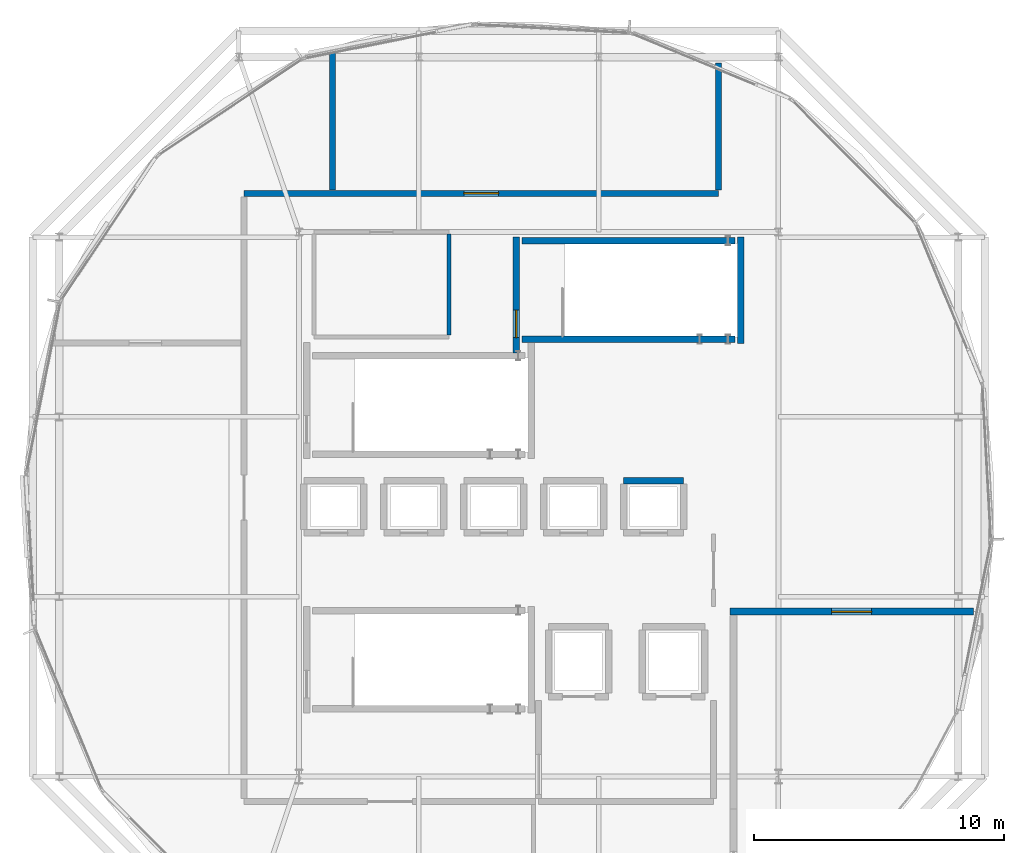
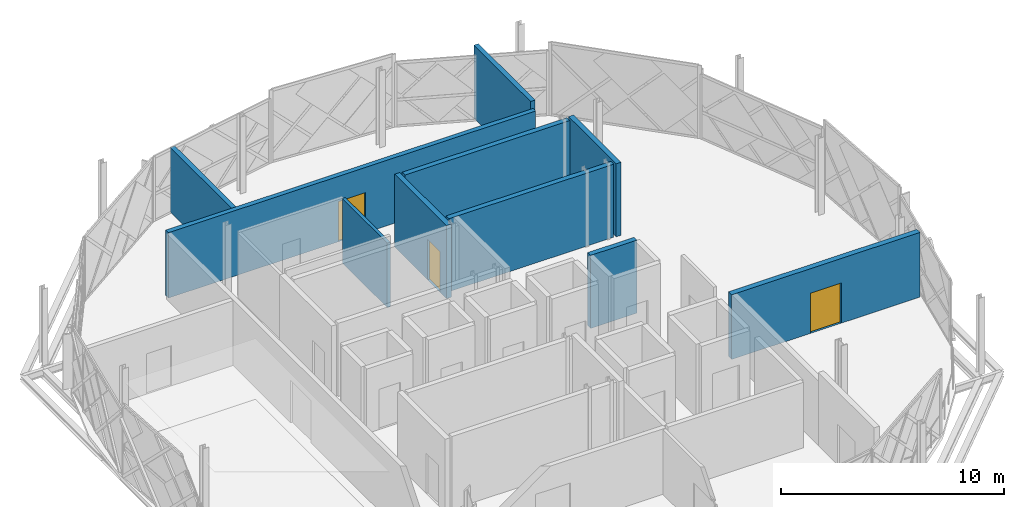
# One storey, part 11 of 15: 10 walls, 3 doors, 3 openings.
"""IFC4 building model written with IfcOpenShell, lengths in metres."""

from ifc_helpers import new_model, si_unit, direction, frame, frame_2d, origin, place, context, subcontext, project, spatial, rectangle, extrude, material, layer, layer_set, type_object, element, fill, save


model = new_model("IFC4")

# Units and contexts
model_context = context("Model", 3, precision=1e-05, world=origin(), true_north=direction((0.0, 1.0)))
body_context = subcontext(model_context, "Body", "Model", "MODEL_VIEW")
ifc_project = project(units=[si_unit("LENGTHUNIT", "METRE"), si_unit("AREAUNIT", "SQUARE_METRE"), si_unit("VOLUMEUNIT", "CUBIC_METRE"), si_unit("PLANEANGLEUNIT", "RADIAN"), si_unit("MASSUNIT", "GRAM", prefix="KILO")], contexts=[model_context])

# Site, building, storey
site_placement = place(None, origin())
site = spatial("IfcSite", under=ifc_project, at=site_placement, CompositionType="ELEMENT")
building_placement = place(site_placement, origin())
building = spatial("IfcBuilding", under=site, at=building_placement, Name="Zevrakil Square Congress Hotel", CompositionType="ELEMENT")
storey_placement = place(building_placement, frame((0.0, 0.0, 41.89990234375)))
storey = spatial("IfcBuildingStorey", under=building, at=storey_placement, Name="L12", CompositionType="ELEMENT", Elevation=41.89990234375)

# Wall, opening, door
ifc_material_1 = material(Name="Concrete C35/45", Category="concrete")
ifc_layer_1 = layer(ifc_material_1, 0.239990234375)
ifc_layer_set_1 = layer_set([ifc_layer_1], Name="Concrete C35/45")
wall_type_1 = type_object("IfcWallType", Name="WAL-COMP-240", PredefinedType="SOLIDWALL", material=ifc_layer_set_1)
wall_1_placement = place(storey_placement, frame((134.60009765625, 40.14990234375, 0.0), z_axis=(0.0, 0.0, 1.0), x_axis=(1.0, 0.0, 0.0)))
wall_1 = element("IfcWall", 1, at=wall_1_placement, inside=storey, type_object=wall_type_1, Name="L12 interior partition PW-L12-1983", PredefinedType="SOLIDWALL", context=body_context, shape_type="SweptSolid", body=[
    extrude(rectangle(XDim=19.0, YDim=0.239990234375, at=frame_2d((9.5, 0.0))), origin(), (0.0, 0.0, 1.0), 3.580078125),
])
opening_1_placement = place(wall_1_placement, frame((8.800048828125, 0.0, 0.0)))
opening_1 = element("IfcOpeningElement", 2, at=opening_1_placement, cuts=wall_1, Name="Opening ID-09", PredefinedType="OPENING", context=body_context, shape_type="SweptSolid", body=[
    extrude(rectangle(XDim=1.39990234375, YDim=2.199951171875, at=frame_2d((0.699951171875, 1.10009765625))), frame((0.0, 0.1298828125, 0.0), z_axis=(0.0, -1.0, 0.0), x_axis=(1.0, 0.0, 0.0)), (0.0, 0.0, 1.0), 0.260009765625),
])
ifc_material_2 = material(Name="Steel S355 Louvred Plant Fire Door", Category="steel")
door_type_1 = type_object("IfcDoorType", Name="DOR-PLANT-140", OperationType="NOTDEFINED", PredefinedType="DOOR", material=ifc_material_2)
door_1_placement = place(opening_1_placement, origin())
door_1 = element("IfcDoor", 3, at=door_1_placement, inside=storey, type_object=door_type_1, Name="L12 interior door 770", OperationType="SINGLE_SWING_RIGHT", OverallHeight=2.199951171875, OverallWidth=1.39990234375, PredefinedType="DOOR", context=body_context, shape_type="SweptSolid", body=[
    extrude(rectangle(XDim=1.39990234375, YDim=2.199951171875, at=frame_2d((0.699951171875, 1.10009765625))), frame((0.0, 0.02490234375, 0.0), z_axis=(0.0, -1.0, 0.0), x_axis=(1.0, 0.0, 0.0)), (0.0, 0.0, 1.0), 0.050048828125),
])
fill(opening_1, door_1)

# Walls
wall_2_placement = place(storey_placement, frame((138.14990234375, 40.280029296875, 0.0), z_axis=(0.0, 0.0, 1.0), x_axis=(0.0, 1.0, 0.0)))
element("IfcWall", 4, at=wall_2_placement, inside=storey, type_object=wall_type_1, Name="L12 interior partition PW-L12-1986", PredefinedType="SOLIDWALL", context=body_context, shape_type="SweptSolid", body=[
    extrude(rectangle(XDim=5.539306640625, YDim=0.239990234375, at=frame_2d((2.76953125, 0.0))), origin(), (0.0, 0.0, 1.0), 3.5400390625),
])
wall_3_placement = place(storey_placement, frame((153.60009765625, 40.280029296875, 0.0), z_axis=(0.0, 0.0, 1.0), x_axis=(0.0, 1.0, 0.0)))
element("IfcWall", 5, at=wall_3_placement, inside=storey, type_object=wall_type_1, Name="L12 interior partition PW-L12-1987", PredefinedType="SOLIDWALL", context=body_context, shape_type="SweptSolid", body=[
    extrude(rectangle(XDim=5.07861328125, YDim=0.239990234375, at=frame_2d((2.539306640625, 0.0))), origin(), (0.0, 0.0, 1.0), 3.9951171875),
])
ifc_material_3 = material(Name="Gypsum Acoustic Stud Partition")
ifc_layer_2 = layer(ifc_material_3, 0.159912109375)
ifc_layer_set_2 = layer_set([ifc_layer_2], Name="Gypsum Acoustic Stud Partition")
wall_type_2 = type_object("IfcWallType", Name="WAL-CORR-160", PredefinedType="PARTITIONING", material=ifc_layer_set_2)
wall_4_placement = place(storey_placement, frame((142.800048828125, 34.485107421875, 0.0), z_axis=(0.0, 0.0, 1.0), x_axis=(0.0, 1.0, 0.0)))
element("IfcWall", 6, at=wall_4_placement, inside=storey, type_object=wall_type_2, Name="L12 interior partition PW-L12-1980", PredefinedType="PARTITIONING", context=body_context, shape_type="SweptSolid", body=[
    extrude(rectangle(XDim=4.02978515625, YDim=0.159912109375, at=frame_2d((2.014892578125, 0.0))), origin(), (0.0, 0.0, 1.0), 3.530029296875),
])

# Wall, opening, door
ifc_material_4 = material(Name="Precast concrete C40/50", Category="concrete")
ifc_layer_3 = layer(ifc_material_4, 0.280029296875)
ifc_layer_set_3 = layer_set([ifc_layer_3], Name="Precast concrete C40/50")
wall_type_3 = type_object("IfcWallType", Name="WAL-EXT-PAV-280", PredefinedType="SOLIDWALL", material=ifc_layer_set_3)
wall_5_placement = place(storey_placement, frame((154.06005859375, 23.39990234375, 0.0), z_axis=(0.0, 0.0, 1.0), x_axis=(1.0, 0.0, 0.0)))
wall_5 = element("IfcWall", 7, at=wall_5_placement, inside=storey, type_object=wall_type_3, Name="L12 exterior GRC wall EW-L12-0140", PredefinedType="SOLIDWALL", context=body_context, shape_type="SweptSolid", body=[
    extrude(rectangle(XDim=9.739990234375, YDim=0.280029296875, at=frame_2d((4.8701171875, 0.0))), origin(), (0.0, 0.0, 1.0), 3.5400390625),
])
opening_2_placement = place(wall_5_placement, frame((4.070068359375, 0.0, 0.0)))
opening_2 = element("IfcOpeningElement", 8, at=opening_2_placement, cuts=wall_5, Name="Opening TD-02", PredefinedType="OPENING", context=body_context, shape_type="SweptSolid", body=[
    extrude(rectangle(XDim=1.60009765625, YDim=2.199951171875, at=frame_2d((0.800048828125, 1.10009765625))), frame((0.0, 0.14990234375, 0.0), z_axis=(0.0, -1.0, 0.0), x_axis=(1.0, 0.0, 0.0)), (0.0, 0.0, 1.0), 0.300048828125),
])
ifc_material_5 = material(Name="Aluminium Thermal-Break Glazed Door", Category="aluminium")
door_type_2 = type_object("IfcDoorType", Name="DOR-TERR-160", OperationType="NOTDEFINED", PredefinedType="DOOR", material=ifc_material_5)
door_2_placement = place(opening_2_placement, origin())
door_2 = element("IfcDoor", 9, at=door_2_placement, inside=storey, type_object=door_type_2, Name="L12 walkable roof garden terrace door", OperationType="DOUBLE_DOOR_SINGLE_SWING", OverallHeight=2.199951171875, OverallWidth=1.60009765625, PredefinedType="DOOR", context=body_context, shape_type="SweptSolid", body=[
    extrude(rectangle(XDim=1.60009765625, YDim=2.199951171875, at=frame_2d((0.800048828125, 1.10009765625))), frame((0.0, 0.02490234375, 0.0), z_axis=(0.0, -1.0, 0.0), x_axis=(1.0, 0.0, 0.0)), (0.0, 0.0, 1.0), 0.050048828125),
])
fill(opening_2, door_2)

ifc_material_6 = material(Name="Concrete C40/50", Category="concrete")
ifc_layer_4 = layer(ifc_material_6, 0.260009765625)
ifc_layer_set_4 = layer_set([ifc_layer_4], Name="Concrete C40/50")
wall_type_4 = type_object("IfcWallType", Name="WAL-SHAFT-260", PredefinedType="SHEAR", material=ifc_layer_set_4)
wall_6_placement = place(storey_placement, frame((145.5048828125, 33.764892578125, 0.0), z_axis=(0.0, 0.0, 1.0), x_axis=(0.0, 1.0, 0.0)))
wall_6 = element("IfcWall", 10, at=wall_6_placement, inside=storey, type_object=wall_type_4, Name="L12 ST03 stair shaft W wall", PredefinedType="SHEAR", context=body_context, shape_type="SweptSolid", body=[
    extrude(rectangle(XDim=4.64501953125, YDim=0.260009765625, at=frame_2d((2.322509765625, 0.0))), origin(), (0.0, 0.0, 1.0), 3.9951171875),
])
opening_3_placement = place(wall_6_placement, frame((0.610107421875, 0.0, 0.0)))
opening_3 = element("IfcOpeningElement", 11, at=opening_3_placement, cuts=wall_6, Name="Opening SD-ST03", PredefinedType="OPENING", context=body_context, shape_type="SweptSolid", body=[
    extrude(rectangle(XDim=1.10009765625, YDim=2.199951171875, at=frame_2d((0.550048828125, 1.10009765625))), frame((0.0, 0.14013671875, 0.0), z_axis=(0.0, -1.0, 0.0), x_axis=(1.0, 0.0, 0.0)), (0.0, 0.0, 1.0), 0.280029296875),
])
ifc_material_7 = material(Name="Steel S355 Fire-Rated Door", Category="steel")
door_type_3 = type_object("IfcDoorType", Name="DOR-STAIR-FD90-110", OperationType="NOTDEFINED", PredefinedType="DOOR", material=ifc_material_7)
door_3_placement = place(opening_3_placement, origin())
door_3 = element("IfcDoor", 12, at=door_3_placement, inside=storey, type_object=door_type_3, Name="L12 ST03 protected stair fire door", OperationType="SINGLE_SWING_LEFT", OverallHeight=2.199951171875, OverallWidth=1.10009765625, PredefinedType="DOOR", context=body_context, shape_type="SweptSolid", body=[
    extrude(rectangle(XDim=1.10009765625, YDim=2.199951171875, at=frame_2d((0.550048828125, 1.10009765625))), frame((0.0, 0.02490234375, 0.0), z_axis=(0.0, -1.0, 0.0), x_axis=(1.0, 0.0, 0.0)), (0.0, 0.0, 1.0), 0.050048828125),
])
fill(opening_3, door_3)

# Walls
wall_7_placement = place(storey_placement, frame((154.4951171875, 34.139892578125, 0.0), z_axis=(0.0, 0.0, 1.0), x_axis=(0.0, 1.0, 0.0)))
element("IfcWall", 13, at=wall_7_placement, inside=storey, type_object=wall_type_4, Name="L12 ST03 stair shaft E wall", PredefinedType="SHEAR", context=body_context, shape_type="SweptSolid", body=[
    extrude(rectangle(XDim=4.27001953125, YDim=0.260009765625, at=frame_2d((2.135009765625, 0.0))), origin(), (0.0, 0.0, 1.0), 3.9951171875),
])
for number, where, z_axis, x_axis, name in (
    (14, (145.739990234375, 34.304931640625, 0.0), (0.0, 0.0, 1.0), (1.0, 0.0, 0.0), "L12 ST03 stair shaft S wall"),
    (15, (145.739990234375, 38.2451171875, 0.0), (0.0, 0.0, 1.0), (1.0, 0.0, 0.0), "L12 ST03 stair shaft N wall"),
):
    element("IfcWall", number, at=place(storey_placement, frame(where, z_axis=z_axis, x_axis=x_axis)), inside=storey, type_object=wall_type_4, Name=name, PredefinedType="SHEAR", context=body_context, shape_type="SweptSolid", body=[
        extrude(rectangle(XDim=8.52001953125, YDim=0.260009765625, at=frame_2d((4.260009765625, 0.0))), origin(), (0.0, 0.0, 1.0), 3.9951171875),
    ])
wall_8_placement = place(storey_placement, frame((149.800048828125, 28.64990234375, 0.0), z_axis=(0.0, 0.0, 1.0), x_axis=(1.0, 0.0, 0.0)))
element("IfcWall", 16, at=wall_8_placement, inside=storey, type_object=wall_type_4, Name="L12 HL5 lift shaft wall", PredefinedType="SHEAR", context=body_context, shape_type="SweptSolid", body=[
    extrude(rectangle(XDim=2.39990234375, YDim=0.260009765625, at=frame_2d((1.199951171875, 0.0))), origin(), (0.0, 0.0, 1.0), 3.9951171875),
])

save(model, "model.ifc")
